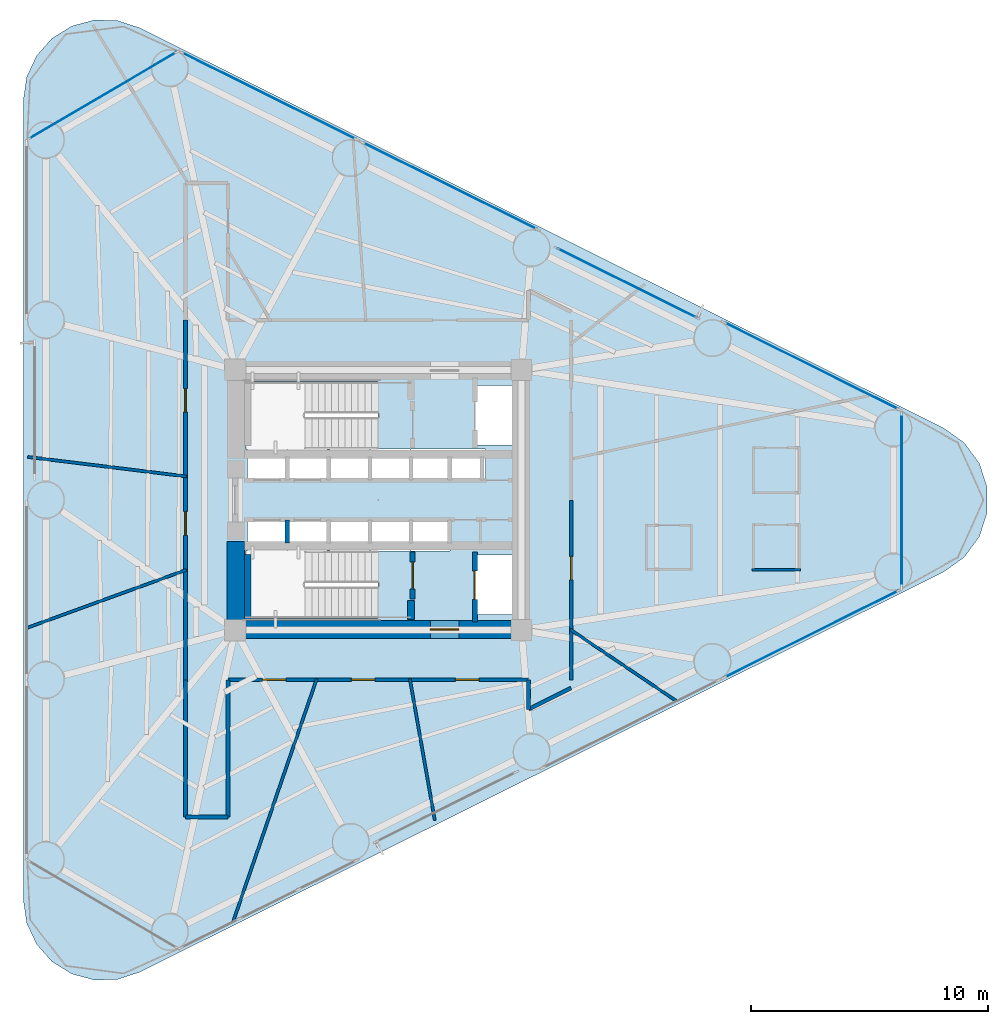
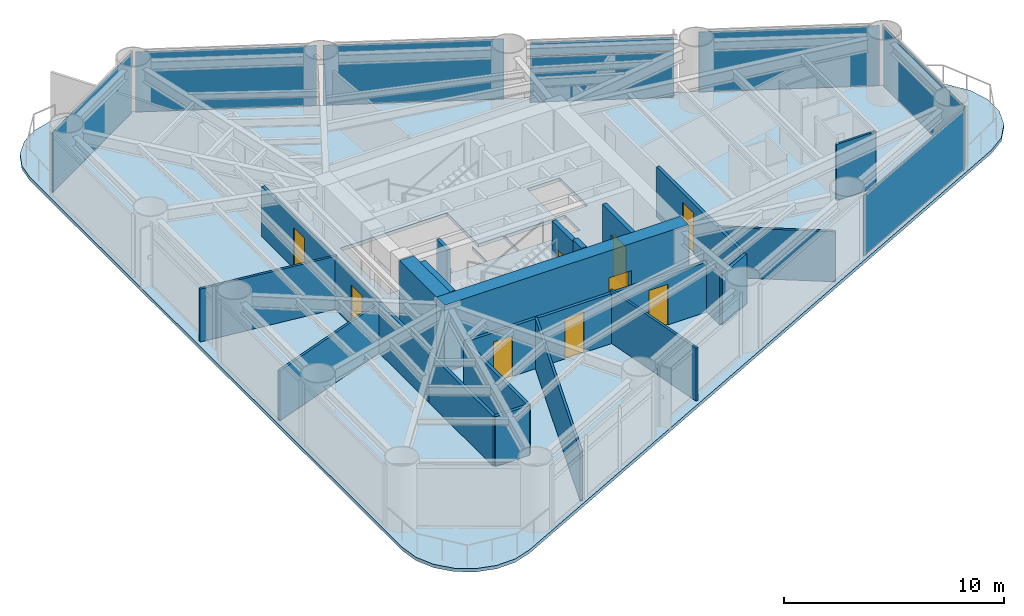
# One storey, part 5 of 10: 21 walls, 9 doors, 8 plates, 1 slab, 9 openings, 7 elements without a shape of their own.
"""IFC4 building model written with IfcOpenShell, lengths in metres."""

import ifcopenshell
import ifcopenshell.guid

model = None  # the IFC model being written
_history = None  # IfcOwnerHistory: only IFC2X3 demands one
_inside = {}  # id of a spatial element -> (the spatial element, [elements in it])
_under = {}  # id of a project, library or spatial element -> (it, [spatial elements below it])
_declared = {}  # id of a project -> (the project, [libraries it declares])
_typed = {}  # id of a type object -> (the type object, [elements of that type])
_made_of = {}  # id of a material, layer set ... -> (it, [elements and type objects made of it])


def new_model(schema):
    """Start an empty IFC model of exactly this schema.

    Asked for "IFC4X3", IfcOpenShell would pick the latest addendum, in which some entities
    have other attributes; the version numbers below select the first issue.
    IFC2X3 requires an IfcOwnerHistory on every rooted entity: one is made here for all.
    """
    global model, _history
    if schema == "IFC4X3":
        model = ifcopenshell.file(schema_version=(4, 3, 0, 0))
    else:
        model = ifcopenshell.file(schema=schema)
    _inside.clear()
    _under.clear()
    _declared.clear()
    _typed.clear()
    _made_of.clear()
    _history = None
    if model.schema == "IFC2X3":
        org = make("IfcOrganization", Name="unknown")
        user = make(
            "IfcPersonAndOrganization",
            ThePerson=make("IfcPerson", FamilyName="unknown"),
            TheOrganization=org,
        )
        app = make(
            "IfcApplication",
            ApplicationDeveloper=org,
            Version="unknown",
            ApplicationFullName="unknown",
            ApplicationIdentifier="unknown",
        )
        _history = make(
            "IfcOwnerHistory",
            OwningUser=user,
            OwningApplication=app,
            ChangeAction="ADDED",
            CreationDate=0,
        )
    return model


def make(cls, **values):
    """One entity of the class cls with the attributes given. An attribute that is None is left unset."""
    return model.create_entity(
        cls, **{name: value for name, value in values.items() if value is not None}
    )


def rooted(cls, **values):
    """An entity with a GlobalId (a new one), such as an element, a storey or a relation."""
    return make(cls, GlobalId=ifcopenshell.guid.new(), OwnerHistory=_history, **values)


def si_unit(unit_type, name, prefix=None):
    """IfcSIUnit, for example si_unit("LENGTHUNIT", "METRE", prefix="MILLI")."""
    return make("IfcSIUnit", UnitType=unit_type, Prefix=prefix, Name=name)


def assignment(units):
    """IfcUnitAssignment: the units of a project."""
    return None if units is None else make("IfcUnitAssignment", Units=units)


def point(xyz):
    """IfcCartesianPoint."""
    return None if xyz is None else make("IfcCartesianPoint", Coordinates=xyz)


def direction(xyz):
    """IfcDirection."""
    return None if xyz is None else make("IfcDirection", DirectionRatios=xyz)


def frame(location, z_axis=None, x_axis=None):
    """IfcAxis2Placement3D, a coordinate frame: its origin and axes. An axis left out is left unset."""
    return make(
        "IfcAxis2Placement3D",
        Location=point(location),
        Axis=direction(z_axis),
        RefDirection=direction(x_axis),
    )


def frame_2d(location, x_axis=None):
    """IfcAxis2Placement2D, a coordinate frame in the plane: its origin and x axis."""
    return make(
        "IfcAxis2Placement2D", Location=point(location), RefDirection=direction(x_axis)
    )


def origin():
    """The frame at (0, 0, 0) with its axes left unset."""
    return frame((0.0, 0.0, 0.0))


def origin_2d():
    """The frame at (0, 0) in the plane with its x axis left unset."""
    return frame_2d((0.0, 0.0))


def place(relative_to, where):
    """IfcLocalPlacement: puts the frame where relative to a parent placement (None: the world)."""
    return make(
        "IfcLocalPlacement", PlacementRelTo=relative_to, RelativePlacement=where
    )


def context(
    kind, dimensions, precision=None, world=None, true_north=None, identifier=None
):
    """IfcGeometricRepresentationContext, for example the 3D "Model" context."""
    return make(
        "IfcGeometricRepresentationContext",
        ContextIdentifier=identifier,
        ContextType=kind,
        CoordinateSpaceDimension=dimensions,
        Precision=precision,
        WorldCoordinateSystem=world,
        TrueNorth=true_north,
    )


def subcontext(parent, identifier, kind, view, scale=None):
    """IfcGeometricRepresentationSubContext, for example "Body" below "Model"."""
    return make(
        "IfcGeometricRepresentationSubContext",
        ContextIdentifier=identifier,
        ContextType=kind,
        ParentContext=parent,
        TargetScale=scale,
        TargetView=view,
    )


def project(units=None, contexts=None):
    """IfcProject with its units and contexts."""
    return rooted(
        "IfcProject",
        Name="project",
        RepresentationContexts=contexts,
        UnitsInContext=assignment(units),
    )


def spatial(cls, under=None, at=None, **own):
    """A site, building, storey or space (cls), placed at a placement, below another one or the project."""
    s = rooted(cls, ObjectPlacement=at, **own)
    if under is not None:
        _under.setdefault(under.id(), (under, []))[1].append(s)
    return s


def polyline(points):
    """IfcPolyline through the points."""
    return make("IfcPolyline", Points=[point(p) for p in points])


def profile(cls, at=None, kind="AREA", **sizes):
    """A parametric profile (cls). Its sizes go by their IFC names, for example OverallWidth=200.0."""
    return make(cls, ProfileType=kind, Position=at, **sizes)


def rectangle(**sizes):
    """IfcRectangleProfileDef."""
    return profile("IfcRectangleProfileDef", **sizes)


def outline(outer, holes=None, kind="AREA"):
    """IfcArbitraryClosedProfileDef: a profile drawn as a closed curve; with holes, ...WithVoids."""
    if holes is None:
        return make("IfcArbitraryClosedProfileDef", ProfileType=kind, OuterCurve=outer)
    return make(
        "IfcArbitraryProfileDefWithVoids",
        ProfileType=kind,
        OuterCurve=outer,
        InnerCurves=holes,
    )


def extrude(swept, where, along, depth):
    """IfcExtrudedAreaSolid: the profile swept, set in the frame where, extruded along a direction by depth."""
    return make(
        "IfcExtrudedAreaSolid",
        SweptArea=swept,
        Position=where,
        ExtrudedDirection=direction(along),
        Depth=depth,
    )


def shape(context_of_items, identifier, shape_type, items):
    """IfcShapeRepresentation: the items that make up one representation, for example the "Body"."""
    return make(
        "IfcShapeRepresentation",
        ContextOfItems=context_of_items,
        RepresentationIdentifier=identifier,
        RepresentationType=shape_type,
        Items=items,
    )


def source(mapping_origin, context_of_items, identifier, shape_type, items):
    """IfcRepresentationMap: a shape defined once, which mapped items show again and again."""
    return make(
        "IfcRepresentationMap",
        MappingOrigin=mapping_origin,
        MappedRepresentation=shape(context_of_items, identifier, shape_type, items),
    )


def transform(
    local_origin,
    x_axis=None,
    y_axis=None,
    z_axis=None,
    scale=None,
    scale2=None,
    scale3=None,
    uniform=True,
):
    """IfcCartesianTransformationOperator3D, or its non-uniform kind. x_axis, y_axis, z_axis: its Axis1, 2, 3."""
    if uniform:
        return make(
            "IfcCartesianTransformationOperator3D",
            Axis1=direction(x_axis),
            Axis2=direction(y_axis),
            LocalOrigin=point(local_origin),
            Scale=scale,
            Axis3=direction(z_axis),
        )
    return make(
        "IfcCartesianTransformationOperator3DnonUniform",
        Axis1=direction(x_axis),
        Axis2=direction(y_axis),
        LocalOrigin=point(local_origin),
        Scale=scale,
        Axis3=direction(z_axis),
        Scale2=scale2,
        Scale3=scale3,
    )


def mapped(mapping_source, mapping_target):
    """IfcMappedItem: shows the shape of a source again, moved by a transform."""
    return make(
        "IfcMappedItem", MappingSource=mapping_source, MappingTarget=mapping_target
    )


def material(Name=None, Category=None):
    """IfcMaterial."""
    return make("IfcMaterial", Name=Name, Category=Category)


def layer(
    of_material, thickness, ventilated=None, Name=None, Category=None, Priority=None
):
    """IfcMaterialLayer: one layer of a wall or slab, of a material (None: an air gap)."""
    return make(
        "IfcMaterialLayer",
        Material=of_material,
        LayerThickness=thickness,
        IsVentilated=ventilated,
        Name=Name,
        Category=Category,
        Priority=Priority,
    )


def layer_set(layers, Name=None):
    """IfcMaterialLayerSet."""
    return make("IfcMaterialLayerSet", MaterialLayers=layers, LayerSetName=Name)


def made_of(thing, what):
    """Note that an element or type object is made of a material, layer set ...; save() writes the relation."""
    if what is not None:
        _made_of.setdefault(what.id(), (what, []))[1].append(thing)
    return thing


def type_object(cls, material=None, **own):
    """A type object (cls), such as IfcWallType, which elements share."""
    return made_of(rooted(cls, **own), material)


def element(
    cls,
    number,
    at=None,
    inside=None,
    cuts=None,
    type_object=None,
    material=None,
    context=None,
    identifier="Body",
    shape_type=None,
    held_by="IfcProductDefinitionShape",
    body=None,
    shapes=None,
    **own,
):
    """One element of the class cls, such as IfcWall. Its Tag is "e" and its number.

    at: its placement. inside: the storey or other place that contains it. cuts: it is an
    opening in that element (IfcRelVoidsElement). A single representation is given by context,
    identifier, shape_type and body (its items); several are given by shapes. held_by: the class
    of the entity that holds the representations. save() writes the other relations.
    """
    e = rooted(cls, Tag="e%d" % number, ObjectPlacement=at, **own)
    if body is not None:
        shapes = [shape(context, identifier, shape_type, body)]
    if shapes is not None:
        e.Representation = make(held_by, Representations=shapes)
    if inside is not None:
        _inside.setdefault(inside.id(), (inside, []))[1].append(e)
    if cuts is not None:
        rooted(
            "IfcRelVoidsElement", RelatingBuildingElement=cuts, RelatedOpeningElement=e
        )
    if type_object is not None:
        _typed.setdefault(type_object.id(), (type_object, []))[1].append(e)
    return made_of(e, material)


def fill(opening, filler):
    """IfcRelFillsElement: the door or window that sits in an opening."""
    return rooted(
        "IfcRelFillsElement",
        RelatingOpeningElement=opening,
        RelatedBuildingElement=filler,
    )


def aggregate(whole, parts):
    """IfcRelAggregates: a whole, such as a stair, and the parts it consists of."""
    return rooted("IfcRelAggregates", RelatingObject=whole, RelatedObjects=parts)


def save(model, path):
    """Write the relations noted so far, then the file.

    IfcRelAggregates (storeys below a building ...), IfcRelContainedInSpatialStructure (elements
    in a storey), IfcRelDefinesByType, IfcRelAssociatesMaterial and IfcRelDeclares: one each for
    every whole, place, type object, material and project.
    """
    for whole, parts in _under.values():
        aggregate(whole, parts)
    for where, things in _inside.values():
        rooted(
            "IfcRelContainedInSpatialStructure",
            RelatedElements=things,
            RelatingStructure=where,
        )
    for kind, things in _typed.values():
        rooted("IfcRelDefinesByType", RelatedObjects=things, RelatingType=kind)
    for what, things in _made_of.values():
        rooted("IfcRelAssociatesMaterial", RelatedObjects=things, RelatingMaterial=what)
    for by, libraries in _declared.values():
        rooted("IfcRelDeclares", RelatingContext=by, RelatedDefinitions=libraries)
    model.write(path)


model = new_model("IFC4")

# Units and contexts
model_context = context("Model", 3, precision=1e-05, world=origin(), true_north=direction((0.0, 1.0)))
body_context = subcontext(model_context, "Body", "Model", "MODEL_VIEW")
ifc_project = project(units=[si_unit("LENGTHUNIT", "METRE"), si_unit("AREAUNIT", "SQUARE_METRE"), si_unit("VOLUMEUNIT", "CUBIC_METRE"), si_unit("PLANEANGLEUNIT", "RADIAN"), si_unit("MASSUNIT", "GRAM", prefix="KILO")], contexts=[model_context])

# Site, building, storey
site_placement = place(None, origin())
site = spatial("IfcSite", under=ifc_project, at=site_placement, CompositionType="ELEMENT")
building_placement = place(site_placement, origin())
building = spatial("IfcBuilding", under=site, at=building_placement, Name="Yunling Apex Tower", CompositionType="ELEMENT")
storey_placement = place(building_placement, frame((0.0, 0.0, 46.0)))
storey = spatial("IfcBuildingStorey", under=building, at=storey_placement, Name="L13", CompositionType="ELEMENT", Elevation=46.0)

# Slab
ifc_material_1 = material(Name="Concrete C40", Category="concrete")
ifc_layer_1 = layer(ifc_material_1, 0.179931640625)
ifc_layer_set_1 = layer_set([ifc_layer_1], Name="Concrete C40")
slab_type = type_object("IfcSlabType", Name="SL-FLR-1", PredefinedType="FLOOR", material=ifc_layer_set_1)
slab_placement = place(storey_placement, frame((0.0, 0.0, -0.18505859375)))
element("IfcSlab", 1, at=slab_placement, inside=storey, type_object=slab_type, Name="L13 Composite Tower Floor Slab", PredefinedType="FLOOR", context=body_context, shape_type="SweptSolid", body=[
    extrude(outline(polyline([(-15.001953125, -16.909912109375), (-14.859619140625, -17.88330078125), (-14.444580078125, -18.775390625), (-13.79150390625, -19.510986328125), (-12.955078125, -20.029052734375), (-12.00537109375, -20.285888671875), (-11.02197265625, -20.260009765625), (-10.0869140625, -19.953857421875), (23.88818359375, -3.043701171875), (24.76123046875, -2.42041015625), (25.396484375, -1.555908203125), (25.730712890625, -0.536376953125), (25.730712890625, 0.536376953125), (25.396484375, 1.555908203125), (24.76123046875, 2.42041015625), (23.88818359375, 3.043701171875), (-10.0869140625, 19.953857421875), (-11.02197265625, 20.260009765625), (-12.00537109375, 20.285888671875), (-12.955078125, 20.029052734375), (-13.79150390625, 19.510986328125), (-14.444580078125, 18.775390625), (-14.859619140625, 17.88330078125), (-15.001953125, 16.909912109375), (-15.001953125, -16.909912109375)]), holes=[polyline([(5.81005859375, -2.320068359375), (5.81005859375, -4.840087890625), (4.090087890625, -4.840087890625), (4.090087890625, -2.320068359375), (5.81005859375, -2.320068359375)]), polyline([(5.81005859375, 4.840087890625), (5.81005859375, 2.320068359375), (4.090087890625, 2.320068359375), (4.090087890625, 4.840087890625), (5.81005859375, 4.840087890625)]), polyline([(1.364990234375, 2.1650390625), (4.534912109375, 2.1650390625), (4.534912109375, 0.794921875), (1.364990234375, 0.794921875), (1.364990234375, 2.1650390625)]), polyline([(3.034912109375, -0.794921875), (3.034912109375, -2.1650390625), (1.364990234375, -2.1650390625), (1.364990234375, -0.794921875), (3.034912109375, -0.794921875)]), polyline([(-5.534912109375, -0.794921875), (-3.864990234375, -0.794921875), (-3.864990234375, -2.139892578125), (-3.8349609375, -2.139892578125), (-3.8349609375, -0.794921875), (-2.1650390625, -0.794921875), (-2.1650390625, -2.139892578125), (-2.034912109375, -2.139892578125), (-2.034912109375, -0.794921875), (-0.364990234375, -0.794921875), (-0.364990234375, -2.139892578125), (-0.3349609375, -2.139892578125), (-0.3349609375, -0.794921875), (1.3349609375, -0.794921875), (1.3349609375, -2.1650390625), (-0.010009765625, -2.1650390625), (-0.010009765625, -5.010009765625), (-5.60009765625, -5.010009765625), (-5.60009765625, -2.139892578125), (-5.534912109375, -2.139892578125), (-5.534912109375, -0.794921875)]), polyline([(-5.60009765625, 2.139892578125), (-5.60009765625, 5.010009765625), (-0.010009765625, 5.010009765625), (-0.010009765625, 2.1650390625), (1.3349609375, 2.1650390625), (1.3349609375, 0.794921875), (-0.3349609375, 0.794921875), (-0.3349609375, 2.139892578125), (-0.364990234375, 2.139892578125), (-0.364990234375, 0.794921875), (-2.034912109375, 0.794921875), (-2.034912109375, 2.139892578125), (-2.1650390625, 2.139892578125), (-2.1650390625, 0.794921875), (-3.8349609375, 0.794921875), (-3.8349609375, 2.139892578125), (-3.864990234375, 2.139892578125), (-3.864990234375, 0.794921875), (-5.534912109375, 0.794921875), (-5.534912109375, 2.139892578125), (-5.60009765625, 2.139892578125)])]), origin(), (0.0, 0.0, 1.0), 0.18505859375),
])

# Curtain wall, plate
ifc_material_2 = material(Name="Bronze anodised aluminium", Category="aluminium")
ifc_layer_2 = layer(ifc_material_2, 0.260009765625)
ifc_layer_set_2 = layer_set([ifc_layer_2], Name="Bronze anodised aluminium")
curtain_wall_type = type_object("IfcCurtainWallType", Name="CW-SYS-2", PredefinedType="NOTDEFINED", material=ifc_layer_set_2)
curtain_wall_1_placement = place(storey_placement, origin())
curtain_wall_1 = element("IfcCurtainWall", 2, at=curtain_wall_1_placement, inside=storey, type_object=curtain_wall_type, Name="CW-L13-F1-B4", PredefinedType="NOTDEFINED")
ifc_material_3 = material(Name="Bronze tinted low-E glass", Category="glass")
ifc_layer_3 = layer(ifc_material_3, 0.033935546875)
ifc_layer_set_3 = layer_set([ifc_layer_3], Name="Bronze tinted low-E glass")
plate_type = type_object("IfcPlateType", Name="CW-PNL-2", PredefinedType="CURTAIN_PANEL", material=ifc_layer_set_3)
shared_shape_1 = source(origin(), body_context, "Body", "SweptSolid", [
    extrude(rectangle(XDim=8.225341796875, YDim=0.033935546875, at=origin_2d()), origin(), (0.0, 0.0, 1.0), 3.326416015625),
])
plate_1_placement = place(storey_placement, frame((18.304931640625, -5.666259765625, 0.07666015625), z_axis=(0.0, 0.0, 1.0), x_axis=(0.895242031011, 0.445580190214, 0.0)))
plate_1 = element("IfcPlate", 3, at=plate_1_placement, type_object=plate_type, Name="CW-SYS-2 panel 1.1", PredefinedType="CURTAIN_PANEL", context=body_context, shape_type="MappedRepresentation", body=[
    mapped(shared_shape_1, transform((0.0, 0.0, 0.0), scale=1.0)),
])
aggregate(curtain_wall_1, [plate_1])

curtain_wall_2_placement = place(storey_placement, origin())
curtain_wall_2 = element("IfcCurtainWall", 4, at=curtain_wall_2_placement, inside=storey, type_object=curtain_wall_type, Name="CW-L13-F2-B1", PredefinedType="NOTDEFINED")
plate_2_placement = place(storey_placement, frame((18.304931640625, 5.666259765625, 0.07666015625), z_axis=(0.0, 0.0, 1.0), x_axis=(-0.895242031011, 0.445580190214, 0.0)))
plate_2 = element("IfcPlate", 5, at=plate_2_placement, type_object=plate_type, Name="CW-SYS-2 panel 1.1", PredefinedType="CURTAIN_PANEL", context=body_context, shape_type="MappedRepresentation", body=[
    mapped(shared_shape_1, transform((0.0, 0.0, 0.0), scale=1.0)),
])
aggregate(curtain_wall_2, [plate_2])

curtain_wall_3_placement = place(storey_placement, origin())
curtain_wall_3 = element("IfcCurtainWall", 6, at=curtain_wall_3_placement, inside=storey, type_object=curtain_wall_type, Name="CW-L13-F2-B3", PredefinedType="NOTDEFINED")
plate_3_placement = place(storey_placement, frame((3.01611328125, 13.27587890625, 0.07666015625), z_axis=(0.0, 0.0, 1.0), x_axis=(-0.895242031011, 0.445580190214, 0.0)))
plate_3 = element("IfcPlate", 7, at=plate_3_placement, type_object=plate_type, Name="CW-SYS-2 panel 1.1", PredefinedType="CURTAIN_PANEL", context=body_context, shape_type="MappedRepresentation", body=[
    mapped(shared_shape_1, transform((0.0, 0.0, 0.0), scale=1.0)),
])
aggregate(curtain_wall_3, [plate_3])

curtain_wall_4_placement = place(storey_placement, origin())
curtain_wall_4 = element("IfcCurtainWall", 8, at=curtain_wall_4_placement, inside=storey, type_object=curtain_wall_type, Name="CW-L13-F2-B4", PredefinedType="NOTDEFINED")
plate_4_placement = place(storey_placement, frame((-4.62841796875, 17.08056640625, 0.07666015625), z_axis=(0.0, 0.0, 1.0), x_axis=(-0.895246791748, 0.445570625003, 0.0)))
plate_4 = element("IfcPlate", 9, at=plate_4_placement, type_object=plate_type, Name="CW-SYS-2 panel 1.1", PredefinedType="CURTAIN_PANEL", context=body_context, shape_type="MappedRepresentation", body=[
    mapped(shared_shape_1, transform((0.0, 0.0, 0.0), scale=1.0)),
])
aggregate(curtain_wall_4, [plate_4])

curtain_wall_5_placement = place(storey_placement, origin())
curtain_wall_5 = element("IfcCurtainWall", 10, at=curtain_wall_5_placement, inside=storey, type_object=curtain_wall_type, Name="CW-L13-CRN1", PredefinedType="NOTDEFINED")
shared_shape_2 = source(origin(), body_context, "Body", "SweptSolid", [
    extrude(rectangle(XDim=7.338623046875, YDim=0.033935546875, at=origin_2d()), origin(), (0.0, 0.0, 1.0), 3.326416015625),
])
plate_5_placement = place(storey_placement, frame((22.1181640625, 0.0, 0.07666015625), z_axis=(0.0, 0.0, 1.0), x_axis=(0.0, 1.0, 0.0)))
plate_5 = element("IfcPlate", 11, at=plate_5_placement, type_object=plate_type, Name="CW-SYS-2 panel 1.1", PredefinedType="CURTAIN_PANEL", context=body_context, shape_type="MappedRepresentation", body=[
    mapped(shared_shape_2, transform((0.0, 0.0, 0.0), scale=1.0)),
])
aggregate(curtain_wall_5, [plate_5])

# Curtain wall, plates
curtain_wall_6_placement = place(storey_placement, origin())
curtain_wall_6 = element("IfcCurtainWall", 12, at=curtain_wall_6_placement, inside=storey, type_object=curtain_wall_type, Name="CW-L13-F2-B2", PredefinedType="NOTDEFINED")
shared_shape_3 = source(origin(), body_context, "Body", "SweptSolid", [
    extrude(rectangle(XDim=6.54541015625, YDim=0.033935546875, at=origin_2d()), origin(), (0.0, 0.0, 1.0), 2.53369140625),
])
plate_6_placement = place(storey_placement, frame((10.509033203125, 9.166748046875, 0.076904296875), z_axis=(0.0, 0.0, 1.0), x_axis=(-0.895243732344, 0.445576771947, 0.0)))
plate_6 = element("IfcPlate", 13, at=plate_6_placement, type_object=plate_type, Name="CW-SYS-2 panel 1.1", PredefinedType="CURTAIN_PANEL", context=body_context, shape_type="MappedRepresentation", body=[
    mapped(shared_shape_3, transform((0.0, 0.0, 0.0), scale=1.0)),
])
shared_shape_4 = source(origin(), body_context, "Body", "SweptSolid", [
    extrude(rectangle(XDim=6.54541015625, YDim=0.033935546875, at=origin_2d()), origin(), (0.0, 0.0, 1.0), 0.72412109375),
])
plate_7_placement = place(storey_placement, frame((10.509033203125, 9.166748046875, 2.67919921875), z_axis=(0.0, 0.0, 1.0), x_axis=(-0.895243732344, 0.445576771947, 0.0)))
plate_7 = element("IfcPlate", 14, at=plate_7_placement, type_object=plate_type, Name="CW-SYS-2 panel 1.2", PredefinedType="CURTAIN_PANEL", context=body_context, shape_type="MappedRepresentation", body=[
    mapped(shared_shape_4, transform((0.0, 0.0, 0.0), scale=1.0)),
])
aggregate(curtain_wall_6, [plate_6, plate_7])

# Curtain wall, plate
curtain_wall_7_placement = place(storey_placement, origin())
curtain_wall_7 = element("IfcCurtainWall", 15, at=curtain_wall_7_placement, inside=storey, type_object=curtain_wall_type, Name="CW-L13-CRN2", PredefinedType="NOTDEFINED")
shared_shape_5 = source(origin(), body_context, "Body", "SweptSolid", [
    extrude(rectangle(XDim=7.247314453125, YDim=0.033935546875, at=origin_2d()), origin(), (0.0, 0.0, 1.0), 3.326416015625),
])
plate_8_placement = place(storey_placement, frame((-11.650634765625, 17.092041015625, 0.07666015625), z_axis=(0.0, 0.0, 1.0), x_axis=(-0.86241873323, -0.506195543811, 0.0)))
plate_8 = element("IfcPlate", 16, at=plate_8_placement, type_object=plate_type, Name="CW-SYS-2 panel 1.1", PredefinedType="CURTAIN_PANEL", context=body_context, shape_type="MappedRepresentation", body=[
    mapped(shared_shape_5, transform((0.0, 0.0, 0.0), scale=1.0)),
])
aggregate(curtain_wall_7, [plate_8])

# Wall, opening, door
ifc_material_4 = material(Name="Concrete C60", Category="concrete")
ifc_layer_4 = layer(ifc_material_4, 0.75)
ifc_layer_set_4 = layer_set([ifc_layer_4], Name="Concrete C60")
wall_type_1 = type_object("IfcWallType", Name="WL-COR-1", PredefinedType="SHEAR", material=ifc_layer_set_4)
wall_1_placement = place(storey_placement, frame((-6.39990234375, -5.47509765625, 0.0), z_axis=(0.0, 0.0, 1.0), x_axis=(1.0, 0.0, 0.0)))
wall_1 = element("IfcWall", 17, at=wall_1_placement, inside=storey, type_object=wall_type_1, Name="L13 South Core Shear Wall", PredefinedType="SHEAR", context=body_context, shape_type="SweptSolid", body=[
    extrude(rectangle(XDim=12.7998046875, YDim=0.75, at=frame_2d((6.39990234375, 0.0))), origin(), (0.0, 0.0, 1.0), 3.699951171875),
])
opening_1_placement = place(wall_1_placement, frame((8.60009765625, 0.0, 0.0)))
opening_1 = element("IfcOpeningElement", 18, at=opening_1_placement, cuts=wall_1, Name="Opening DR-FFL-1", PredefinedType="OPENING", context=body_context, shape_type="SweptSolid", body=[
    extrude(rectangle(XDim=1.199951171875, YDim=2.199951171875, at=frame_2d((0.60009765625, 1.10009765625))), frame((0.0, 0.385009765625, 0.0), z_axis=(0.0, -1.0, 0.0), x_axis=(1.0, 0.0, 0.0)), (0.0, 0.0, 1.0), 0.77001953125),
])
ifc_material_5 = material(Name="Steel Q355B", Category="steel")
door_type_1 = type_object("IfcDoorType", Name="DR-FFL-1", OperationType="NOTDEFINED", PredefinedType="DOOR", material=ifc_material_5)
door_1_placement = place(opening_1_placement, origin())
door_1 = element("IfcDoor", 19, at=door_1_placement, inside=storey, type_object=door_type_1, Name="L13 South Firefighting Lobby Door", OperationType="SINGLE_SWING_RIGHT", OverallHeight=2.199951171875, OverallWidth=1.199951171875, PredefinedType="DOOR", context=body_context, shape_type="SweptSolid", body=[
    extrude(rectangle(XDim=1.199951171875, YDim=2.199951171875, at=frame_2d((0.60009765625, 1.10009765625))), frame((0.0, 0.02490234375, 0.0), z_axis=(0.0, -1.0, 0.0), x_axis=(1.0, 0.0, 0.0)), (0.0, 0.0, 1.0), 0.050048828125),
])
fill(opening_1, door_1)

# Walls
wall_2_placement = place(storey_placement, frame((-6.02490234375, -5.10009765625, 0.0), z_axis=(0.0, 0.0, 1.0), x_axis=(0.0, 1.0, 0.0)))
element("IfcWall", 20, at=wall_2_placement, inside=storey, type_object=wall_type_1, Name="L13 West-South Core Shear Wall", PredefinedType="SHEAR", context=body_context, shape_type="SweptSolid", body=[
    extrude(rectangle(XDim=3.35009765625, YDim=0.75, at=frame_2d((1.675048828125, 0.0))), origin(), (0.0, 0.0, 1.0), 3.699951171875),
])
ifc_layer_5 = layer(ifc_material_1, 0.280029296875)
ifc_layer_set_5 = layer_set([ifc_layer_5], Name="Concrete C40")
wall_type_2 = type_object("IfcWallType", Name="WL-COR-8", PredefinedType="SHEAR", material=ifc_layer_set_5)
wall_3_placement = place(storey_placement, frame((-5.52001953125, -5.050048828125, 0.0), z_axis=(0.0, 0.0, 1.0), x_axis=(0.0, 1.0, 0.0)))
element("IfcWall", 21, at=wall_3_placement, inside=storey, type_object=wall_type_2, Name="L13 ST-2 West Landing Bearing Wall", PredefinedType="SHEAR", context=body_context, shape_type="SweptSolid", body=[
    extrude(rectangle(XDim=2.75, YDim=0.280029296875, at=frame_2d((1.375, 0.0))), origin(), (0.0, 0.0, 1.0), 3.699951171875),
])
wall_4_placement = place(storey_placement, frame((1.3798828125, -5.050048828125, 0.0), z_axis=(0.0, 0.0, 1.0), x_axis=(0.0, 1.0, 0.0)))
element("IfcWall", 22, at=wall_4_placement, inside=storey, type_object=wall_type_2, Name="L13 ST-2 East Landing Bearing Pier", PredefinedType="SHEAR", context=body_context, shape_type="SweptSolid", body=[
    extrude(rectangle(XDim=0.800048828125, YDim=0.280029296875, at=frame_2d((0.39990234375, 0.0))), origin(), (0.0, 0.0, 1.0), 3.699951171875),
])

# Wall, openings, doors
ifc_material_6 = material(Name="Gypsum board acoustic partition")
ifc_layer_6 = layer(ifc_material_6, 0.159912109375)
ifc_layer_set_6 = layer_set([ifc_layer_6], Name="Gypsum board acoustic partition")
wall_type_3 = type_object("IfcWallType", Name="WL-PRT-1", PredefinedType="PARTITIONING", material=ifc_layer_set_6)
wall_5_placement = place(storey_placement, frame((6.35009765625, -7.60009765625, 0.0), z_axis=(0.0, 0.0, 1.0), x_axis=(-1.0, 0.0, 0.0)))
wall_5 = element("IfcWall", 23, at=wall_5_placement, inside=storey, type_object=wall_type_3, Name="WL-CORR-L13-01", PredefinedType="PARTITIONING", context=body_context, shape_type="SweptSolid", body=[
    extrude(rectangle(XDim=12.7001953125, YDim=0.159912109375, at=frame_2d((6.35009765625, 0.0))), origin(), (0.0, 0.0, 1.0), 2.764892578125),
])
opening_2_placement = place(wall_5_placement, frame((2.09130859375, 0.0, 0.0)))
opening_2 = element("IfcOpeningElement", 24, at=opening_2_placement, cuts=wall_5, Name="Opening DR-OFF-1", PredefinedType="OPENING", context=body_context, shape_type="SweptSolid", body=[
    extrude(rectangle(XDim=1.0, YDim=2.25, at=frame_2d((0.5, 1.125))), frame((0.0, 0.08984375, 0.0), z_axis=(0.0, -1.0, 0.0), x_axis=(1.0, 0.0, 0.0)), (0.0, 0.0, 1.0), 0.179931640625),
])
opening_3_placement = place(wall_5_placement, frame((6.49365234375, 0.0, 0.0)))
opening_3 = element("IfcOpeningElement", 25, at=opening_3_placement, cuts=wall_5, Name="Opening DR-OFF-1", PredefinedType="OPENING", context=body_context, shape_type="SweptSolid", body=[
    extrude(rectangle(XDim=1.0, YDim=2.25, at=frame_2d((0.5, 1.125))), frame((0.0, 0.08984375, 0.0), z_axis=(0.0, -1.0, 0.0), x_axis=(1.0, 0.0, 0.0)), (0.0, 0.0, 1.0), 0.179931640625),
])
opening_4_placement = place(wall_5_placement, frame((10.255615234375, 0.0, 0.0)))
opening_4 = element("IfcOpeningElement", 26, at=opening_4_placement, cuts=wall_5, Name="Opening DR-OFF-1", PredefinedType="OPENING", context=body_context, shape_type="SweptSolid", body=[
    extrude(rectangle(XDim=1.0, YDim=2.25, at=frame_2d((0.5, 1.125))), frame((0.0, 0.08984375, 0.0), z_axis=(0.0, -1.0, 0.0), x_axis=(1.0, 0.0, 0.0)), (0.0, 0.0, 1.0), 0.179931640625),
])
door_type_2 = type_object("IfcDoorType", Name="DR-OFF-1", OperationType="NOTDEFINED", PredefinedType="DOOR", material=ifc_material_2)
door_2_placement = place(opening_2_placement, origin())
door_2 = element("IfcDoor", 27, at=door_2_placement, inside=storey, type_object=door_type_2, Name="L13 Tea Point Kitchen Door", OperationType="SINGLE_SWING_RIGHT", OverallHeight=2.25, OverallWidth=1.0, PredefinedType="DOOR", context=body_context, shape_type="SweptSolid", body=[
    extrude(rectangle(XDim=1.0, YDim=2.25, at=frame_2d((0.5, 1.125))), frame((0.0, 0.02490234375, 0.0), z_axis=(0.0, -1.0, 0.0), x_axis=(1.0, 0.0, 0.0)), (0.0, 0.0, 1.0), 0.050048828125),
])
fill(opening_2, door_2)
door_3_placement = place(opening_3_placement, origin())
door_3 = element("IfcDoor", 28, at=door_3_placement, inside=storey, type_object=door_type_2, Name="L13 Seminar Meeting Room Door", OperationType="SINGLE_SWING_LEFT", OverallHeight=2.25, OverallWidth=1.0, PredefinedType="DOOR", context=body_context, shape_type="SweptSolid", body=[
    extrude(rectangle(XDim=1.0, YDim=2.25, at=frame_2d((0.5, 1.125))), frame((0.0, 0.02490234375, 0.0), z_axis=(0.0, -1.0, 0.0), x_axis=(1.0, 0.0, 0.0)), (0.0, 0.0, 1.0), 0.050048828125),
])
fill(opening_3, door_3)
door_4_placement = place(opening_4_placement, origin())
door_4 = element("IfcDoor", 29, at=door_4_placement, inside=storey, type_object=door_type_2, Name="L13 Client Reception Foyer Door", OperationType="SINGLE_SWING_RIGHT", OverallHeight=2.25, OverallWidth=1.0, PredefinedType="DOOR", context=body_context, shape_type="SweptSolid", body=[
    extrude(rectangle(XDim=1.0, YDim=2.25, at=frame_2d((0.5, 1.125))), frame((0.0, 0.02490234375, 0.0), z_axis=(0.0, -1.0, 0.0), x_axis=(1.0, 0.0, 0.0)), (0.0, 0.0, 1.0), 0.050048828125),
])
fill(opening_4, door_4)

# Walls
wall_6_placement = place(storey_placement, frame((-6.35009765625, -7.60009765625, 0.0), z_axis=(0.0, 0.0, 1.0), x_axis=(0.0, -1.0, 0.0)))
element("IfcWall", 30, at=wall_6_placement, inside=storey, type_object=wall_type_3, Name="WL-CORR-L13-02", PredefinedType="PARTITIONING", context=body_context, shape_type="SweptSolid", body=[
    extrude(rectangle(XDim=5.7998046875, YDim=0.159912109375, at=frame_2d((2.89990234375, 0.0))), origin(), (0.0, 0.0, 1.0), 2.764892578125),
])
wall_7_placement = place(storey_placement, frame((-6.35009765625, -13.39990234375, 0.0), z_axis=(0.0, 0.0, 1.0), x_axis=(-1.0, 0.0, 0.0)))
element("IfcWall", 31, at=wall_7_placement, inside=storey, type_object=wall_type_3, Name="WL-CORR-L13-03", PredefinedType="PARTITIONING", context=body_context, shape_type="SweptSolid", body=[
    extrude(rectangle(XDim=1.7998046875, YDim=0.159912109375, at=frame_2d((0.89990234375, 0.0))), origin(), (0.0, 0.0, 1.0), 2.764892578125),
])
wall_8_placement = place(storey_placement, frame((-8.14990234375, -13.39990234375, 0.0), z_axis=(0.0, 0.0, 1.0), x_axis=(0.0, 1.0, 0.0)))
element("IfcWall", 32, at=wall_8_placement, inside=storey, type_object=wall_type_3, Name="WL-CORR-L13-04", PredefinedType="PARTITIONING", context=body_context, shape_type="SweptSolid", body=[
    extrude(rectangle(XDim=5.7998046875, YDim=0.159912109375, at=frame_2d((2.89990234375, 0.0))), origin(), (0.0, 0.0, 1.0), 2.764892578125),
])

# Wall, openings, doors
wall_9_placement = place(storey_placement, frame((-8.14990234375, -7.60009765625, 0.0), z_axis=(0.0, 0.0, 1.0), x_axis=(0.0, 1.0, 0.0)))
wall_9 = element("IfcWall", 33, at=wall_9_placement, inside=storey, type_object=wall_type_3, Name="WL-CORR-L13-05", PredefinedType="PARTITIONING", context=body_context, shape_type="SweptSolid", body=[
    extrude(rectangle(XDim=15.2001953125, YDim=0.159912109375, at=frame_2d((7.60009765625, 0.0))), origin(), (0.0, 0.0, 1.0), 2.764892578125),
])
opening_5_placement = place(wall_9_placement, frame((6.109375, 0.0, 0.0)))
opening_5 = element("IfcOpeningElement", 34, at=opening_5_placement, cuts=wall_9, Name="Opening DR-OFF-1", PredefinedType="OPENING", context=body_context, shape_type="SweptSolid", body=[
    extrude(rectangle(XDim=1.0, YDim=2.25, at=frame_2d((0.5, 1.125))), frame((0.0, 0.08984375, 0.0), z_axis=(0.0, -1.0, 0.0), x_axis=(1.0, 0.0, 0.0)), (0.0, 0.0, 1.0), 0.179931640625),
])
opening_6_placement = place(wall_9_placement, frame((11.3115234375, 0.0, 0.0)))
opening_6 = element("IfcOpeningElement", 35, at=opening_6_placement, cuts=wall_9, Name="Opening DR-OFF-1", PredefinedType="OPENING", context=body_context, shape_type="SweptSolid", body=[
    extrude(rectangle(XDim=1.0, YDim=2.25, at=frame_2d((0.5, 1.125))), frame((0.0, 0.08984375, 0.0), z_axis=(0.0, -1.0, 0.0), x_axis=(1.0, 0.0, 0.0)), (0.0, 0.0, 1.0), 0.179931640625),
])
door_5_placement = place(opening_5_placement, origin())
door_5 = element("IfcDoor", 36, at=door_5_placement, inside=storey, type_object=door_type_2, Name="L13 Client Reception Foyer Door", OperationType="SINGLE_SWING_LEFT", OverallHeight=2.25, OverallWidth=1.0, PredefinedType="DOOR", context=body_context, shape_type="SweptSolid", body=[
    extrude(rectangle(XDim=1.0, YDim=2.25, at=frame_2d((0.5, 1.125))), frame((0.0, 0.02490234375, 0.0), z_axis=(0.0, -1.0, 0.0), x_axis=(1.0, 0.0, 0.0)), (0.0, 0.0, 1.0), 0.050048828125),
])
fill(opening_5, door_5)
door_6_placement = place(opening_6_placement, origin())
door_6 = element("IfcDoor", 37, at=door_6_placement, inside=storey, type_object=door_type_2, Name="L13 Client Reception Foyer Door", OperationType="SINGLE_SWING_RIGHT", OverallHeight=2.25, OverallWidth=1.0, PredefinedType="DOOR", context=body_context, shape_type="SweptSolid", body=[
    extrude(rectangle(XDim=1.0, YDim=2.25, at=frame_2d((0.5, 1.125))), frame((0.0, 0.02490234375, 0.0), z_axis=(0.0, -1.0, 0.0), x_axis=(1.0, 0.0, 0.0)), (0.0, 0.0, 1.0), 0.050048828125),
])
fill(opening_6, door_6)

# Wall, opening, door
wall_10_placement = place(storey_placement, frame((8.14990234375, -0.02001953125, 0.0), z_axis=(0.0, 0.0, 1.0), x_axis=(0.0, -1.0, 0.0)))
wall_10 = element("IfcWall", 38, at=wall_10_placement, inside=storey, type_object=wall_type_3, Name="WL-CORR-L13-14", PredefinedType="PARTITIONING", context=body_context, shape_type="SweptSolid", body=[
    extrude(rectangle(XDim=7.580078125, YDim=0.159912109375, at=frame_2d((3.7900390625, 0.0))), origin(), (0.0, 0.0, 1.0), 2.764892578125),
])
opening_7_placement = place(wall_10_placement, frame((2.359130859375, 0.0, 0.0)))
opening_7 = element("IfcOpeningElement", 39, at=opening_7_placement, cuts=wall_10, Name="Opening DR-OFF-1", PredefinedType="OPENING", context=body_context, shape_type="SweptSolid", body=[
    extrude(rectangle(XDim=1.0, YDim=2.25, at=frame_2d((0.5, 1.125))), frame((0.0, 0.08984375, 0.0), z_axis=(0.0, -1.0, 0.0), x_axis=(1.0, 0.0, 0.0)), (0.0, 0.0, 1.0), 0.179931640625),
])
door_7_placement = place(opening_7_placement, origin())
door_7 = element("IfcDoor", 40, at=door_7_placement, inside=storey, type_object=door_type_2, Name="L13 Service Foyer Lounge Door", OperationType="SINGLE_SWING_RIGHT", OverallHeight=2.25, OverallWidth=1.0, PredefinedType="DOOR", context=body_context, shape_type="SweptSolid", body=[
    extrude(rectangle(XDim=1.0, YDim=2.25, at=frame_2d((0.5, 1.125))), frame((0.0, 0.02490234375, 0.0), z_axis=(0.0, -1.0, 0.0), x_axis=(1.0, 0.0, 0.0)), (0.0, 0.0, 1.0), 0.050048828125),
])
fill(opening_7, door_7)

# Walls
wall_11_placement = place(storey_placement, frame((8.14990234375, -7.950439453125, 0.0), z_axis=(0.0, 0.0, 1.0), x_axis=(-0.895251454268, -0.445561256879, 0.0)))
element("IfcWall", 41, at=wall_11_placement, inside=storey, type_object=wall_type_3, Name="WL-CORR-L13-16", PredefinedType="PARTITIONING", context=body_context, shape_type="SweptSolid", body=[
    extrude(rectangle(XDim=2.010498046875, YDim=0.159912109375, at=frame_2d((1.00537109375, 0.0))), origin(), (0.0, 0.0, 1.0), 2.764892578125),
])
wall_12_placement = place(storey_placement, frame((6.35009765625, -8.84619140625, 0.0), z_axis=(0.0, 0.0, 1.0), x_axis=(0.0, 1.0, 0.0)))
element("IfcWall", 42, at=wall_12_placement, inside=storey, type_object=wall_type_3, Name="WL-CORR-L13-17", PredefinedType="PARTITIONING", context=body_context, shape_type="SweptSolid", body=[
    extrude(rectangle(XDim=1.24609375, YDim=0.159912109375, at=frame_2d((0.623046875, 0.0))), origin(), (0.0, 0.0, 1.0), 2.764892578125),
])
ifc_layer_7 = layer(ifc_material_6, 0.1201171875)
ifc_layer_set_7 = layer_set([ifc_layer_7], Name="Gypsum board acoustic partition")
wall_type_4 = type_object("IfcWallType", Name="WL-PRT-3", PredefinedType="PARTITIONING", material=ifc_layer_set_7)
wall_13_placement = place(storey_placement, frame((-8.110107421875, 0.995849609375, 0.0), z_axis=(0.0, 0.0, 1.0), x_axis=(-0.992548741741, 0.121848246885, 0.0)))
element("IfcWall", 43, at=wall_13_placement, inside=storey, type_object=wall_type_4, Name="WL-RAD-L13-05", PredefinedType="PARTITIONING", context=body_context, shape_type="SweptSolid", body=[
    extrude(rectangle(XDim=6.76220703125, YDim=0.1201171875, at=frame_2d((3.381103515625, 0.0))), origin(), (0.0, 0.0, 1.0), 2.925048828125),
])
wall_14_placement = place(storey_placement, frame((-8.110107421875, -2.951904296875, 0.0), z_axis=(0.0, 0.0, 1.0), x_axis=(-0.939695583315, -0.342012003734, 0.0)))
element("IfcWall", 44, at=wall_14_placement, inside=storey, type_object=wall_type_4, Name="WL-RAD-L13-06", PredefinedType="PARTITIONING", context=body_context, shape_type="SweptSolid", body=[
    extrude(rectangle(XDim=7.142578125, YDim=0.1201171875, at=frame_2d((3.5712890625, 0.0))), origin(), (0.0, 0.0, 1.0), 2.764892578125),
])
wall_15_placement = place(storey_placement, frame((-2.60302734375, -7.56005859375, 0.0), z_axis=(0.0, 0.0, 1.0), x_axis=(-0.325570875914, -0.945517638522, 0.0)))
element("IfcWall", 45, at=wall_15_placement, inside=storey, type_object=wall_type_4, Name="WL-RAD-L13-07", PredefinedType="PARTITIONING", context=body_context, shape_type="SweptSolid", body=[
    extrude(rectangle(XDim=10.80810546875, YDim=0.1201171875, at=frame_2d((5.404052734375, 0.0))), origin(), (0.0, 0.0, 1.0), 2.764892578125),
])
wall_16_placement = place(storey_placement, frame((1.3330078125, -7.56005859375, 0.0), z_axis=(0.0, 0.0, 1.0), x_axis=(0.173663844644, -0.984804990373, 0.0)))
element("IfcWall", 46, at=wall_16_placement, inside=storey, type_object=wall_type_4, Name="WL-RAD-L13-08", PredefinedType="PARTITIONING", context=body_context, shape_type="SweptSolid", body=[
    extrude(rectangle(XDim=6.075927734375, YDim=0.1201171875, at=frame_2d((3.0380859375, 0.0))), origin(), (0.0, 0.0, 1.0), 2.925048828125),
])
wall_17_placement = place(storey_placement, frame((8.110107421875, -5.47021484375, 0.0), z_axis=(0.0, 0.0, 1.0), x_axis=(0.829034436431, -0.559197552938, 0.0)))
element("IfcWall", 47, at=wall_17_placement, inside=storey, type_object=wall_type_4, Name="WL-RAD-L13-09", PredefinedType="PARTITIONING", context=body_context, shape_type="SweptSolid", body=[
    extrude(rectangle(XDim=5.376953125, YDim=0.1201171875, at=frame_2d((2.6884765625, 0.0))), origin(), (0.0, 0.0, 1.0), 2.764892578125),
])
ifc_layer_8 = layer(ifc_material_6, 0.10009765625)
ifc_layer_set_8 = layer_set([ifc_layer_8], Name="Gypsum board acoustic partition")
wall_type_5 = type_object("IfcWallType", Name="WL-PRT-4", PredefinedType="PARTITIONING", material=ifc_layer_set_8)
wall_18_placement = place(storey_placement, frame((17.844970703125, -2.947021484375, 0.0), z_axis=(0.0, 0.0, 1.0), x_axis=(-1.0, 0.0, 0.0)))
element("IfcWall", 48, at=wall_18_placement, inside=storey, type_object=wall_type_5, Name="WL-L13-WCMS", PredefinedType="PARTITIONING", context=body_context, shape_type="SweptSolid", body=[
    extrude(rectangle(XDim=2.050048828125, YDim=0.10009765625, at=frame_2d((1.02490234375, 0.0))), origin(), (0.0, 0.0, 1.0), 3.114990234375),
])

# Wall, opening, door
ifc_material_7 = material(Name="Autoclaved aerated concrete masonry", Category="masonry")
ifc_layer_9 = layer(ifc_material_7, 0.219970703125)
ifc_layer_set_9 = layer_set([ifc_layer_9], Name="Autoclaved aerated concrete masonry")
wall_type_6 = type_object("IfcWallType", Name="WL-SHF-1", PredefinedType="PLUMBINGWALL", material=ifc_layer_set_9)
wall_19_placement = place(storey_placement, frame((1.449951171875, -4.179931640625, 0.0), z_axis=(0.0, 0.0, 1.0), x_axis=(0.0, 1.0, 0.0)))
wall_19 = element("IfcWall", 49, at=wall_19_placement, inside=storey, type_object=wall_type_6, Name="WL-ST2-E-L13", PredefinedType="PLUMBINGWALL", context=body_context, shape_type="SweptSolid", body=[
    extrude(rectangle(XDim=1.97998046875, YDim=0.219970703125, at=frame_2d((0.989990234375, 0.0))), origin(), (0.0, 0.0, 1.0), 3.4599609375),
])
opening_8_placement = place(wall_19_placement, frame((0.419921875, 0.0, 0.0)))
opening_8 = element("IfcOpeningElement", 50, at=opening_8_placement, cuts=wall_19, Name="Opening DR-ST-1", PredefinedType="OPENING", context=body_context, shape_type="SweptSolid", body=[
    extrude(rectangle(XDim=1.14990234375, YDim=2.14990234375, at=frame_2d((0.574951171875, 1.074951171875))), frame((0.0, 0.1201171875, 0.0), z_axis=(0.0, -1.0, 0.0), x_axis=(1.0, 0.0, 0.0)), (0.0, 0.0, 1.0), 0.239990234375),
])
door_type_3 = type_object("IfcDoorType", Name="DR-ST-1", OperationType="NOTDEFINED", PredefinedType="DOOR", material=ifc_material_5)
door_8_placement = place(opening_8_placement, origin())
door_8 = element("IfcDoor", 51, at=door_8_placement, inside=storey, type_object=door_type_3, Name="L13 Stair ST-2 Fire Door", OperationType="SINGLE_SWING_LEFT", OverallHeight=2.14990234375, OverallWidth=1.14990234375, PredefinedType="DOOR", context=body_context, shape_type="SweptSolid", body=[
    extrude(rectangle(XDim=1.14990234375, YDim=2.14990234375, at=frame_2d((0.574951171875, 1.074951171875))), frame((0.0, 0.02490234375, 0.0), z_axis=(0.0, -1.0, 0.0), x_axis=(1.0, 0.0, 0.0)), (0.0, 0.0, 1.0), 0.050048828125),
])
fill(opening_8, door_8)

wall_20_placement = place(storey_placement, frame((4.080078125, -5.14990234375, 0.0), z_axis=(0.0, 0.0, 1.0), x_axis=(0.0, 1.0, 0.0)))
wall_20 = element("IfcWall", 52, at=wall_20_placement, inside=storey, type_object=wall_type_6, Name="WL-FFL2-W-L13", PredefinedType="PLUMBINGWALL", context=body_context, shape_type="SweptSolid", body=[
    extrude(rectangle(XDim=2.949951171875, YDim=0.219970703125, at=frame_2d((1.47509765625, 0.0))), origin(), (0.0, 0.0, 1.0), 3.4599609375),
])
opening_9_placement = place(wall_20_placement, frame((0.949951171875, 0.0, 0.0)))
opening_9 = element("IfcOpeningElement", 53, at=opening_9_placement, cuts=wall_20, Name="Opening LD-FFL-1", PredefinedType="OPENING", context=body_context, shape_type="SweptSolid", body=[
    extrude(rectangle(XDim=1.199951171875, YDim=2.25, at=frame_2d((0.60009765625, 1.125))), frame((0.0, 0.1201171875, 0.0), z_axis=(0.0, -1.0, 0.0), x_axis=(1.0, 0.0, 0.0)), (0.0, 0.0, 1.0), 0.239990234375),
])
door_type_4 = type_object("IfcDoorType", Name="LD-FFL-1", OperationType="DOUBLE_DOOR_SLIDING", PredefinedType="DOOR", material=ifc_material_5)
door_9_placement = place(opening_9_placement, origin())
door_9 = element("IfcDoor", 54, at=door_9_placement, inside=storey, type_object=door_type_4, Name="L13 Lift FFL-2 Landing Door", OperationType="DOUBLE_DOOR_SLIDING", OverallHeight=2.25, OverallWidth=1.199951171875, PredefinedType="DOOR", context=body_context, shape_type="SweptSolid", body=[
    extrude(rectangle(XDim=1.199951171875, YDim=2.25, at=frame_2d((0.60009765625, 1.125))), frame((0.0, 0.02490234375, 0.0), z_axis=(0.0, -1.0, 0.0), x_axis=(1.0, 0.0, 0.0)), (0.0, 0.0, 1.0), 0.050048828125),
])
fill(opening_9, door_9)

# Wall
ifc_layer_10 = layer(ifc_material_7, 0.179931640625)
ifc_layer_set_10 = layer_set([ifc_layer_10], Name="Autoclaved aerated concrete masonry")
wall_type_7 = type_object("IfcWallType", Name="WL-SHF-2", PredefinedType="PLUMBINGWALL", material=ifc_layer_set_10)
wall_21_placement = place(storey_placement, frame((-3.85009765625, -1.820068359375, 0.0), z_axis=(0.0, 0.0, 1.0), x_axis=(0.0, 1.0, 0.0)))
element("IfcWall", 55, at=wall_21_placement, inside=storey, type_object=wall_type_7, Name="WL-DIV-L34-L13", PredefinedType="PLUMBINGWALL", context=body_context, shape_type="SweptSolid", body=[
    extrude(rectangle(XDim=0.97998046875, YDim=0.179931640625, at=frame_2d((0.489990234375, 0.0))), origin(), (0.0, 0.0, 1.0), 3.4599609375),
])

save(model, "model.ifc")
